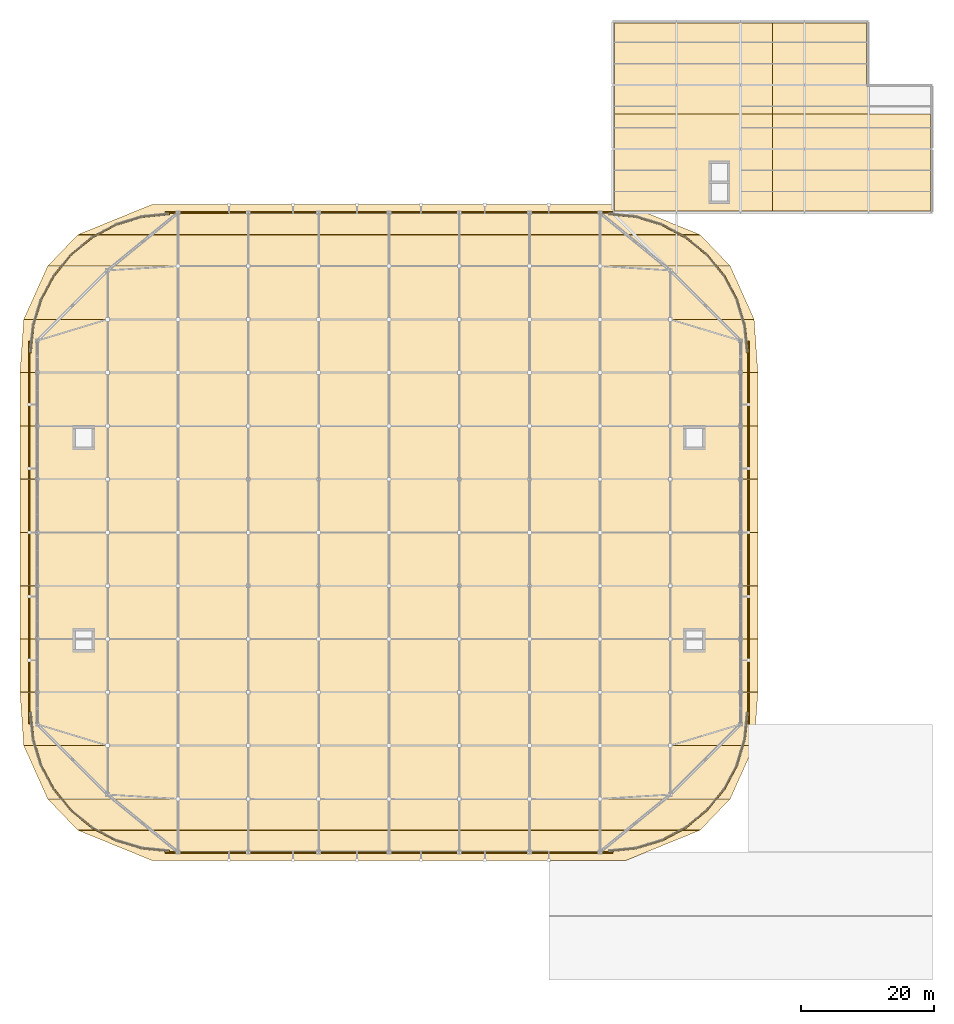
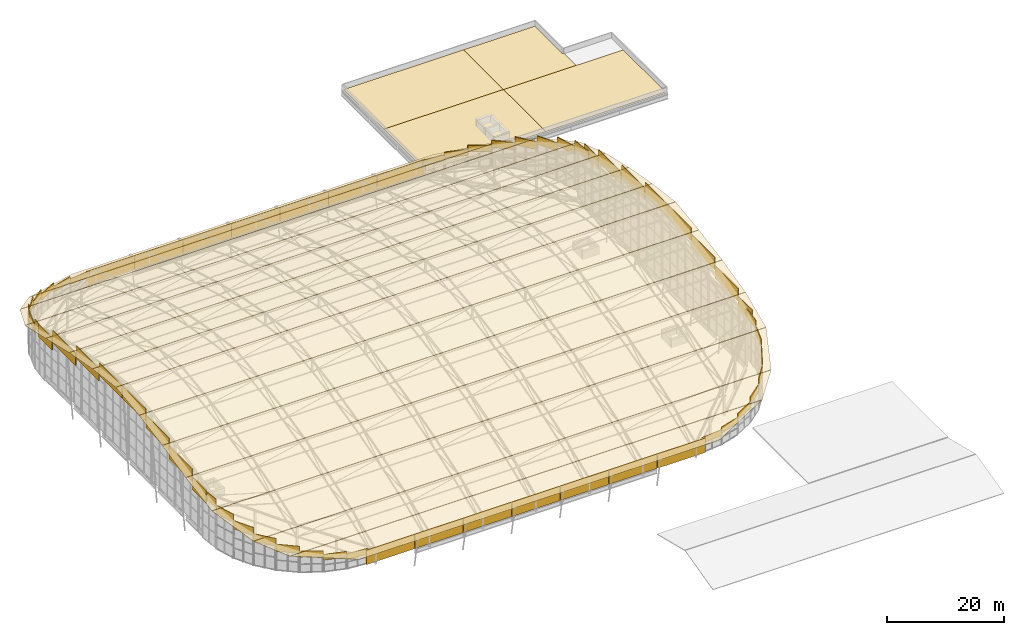
# One storey, part 42 of 42: 62 shading devices, 18 coverings.
"""IFC4 building model written with IfcOpenShell, lengths in metres."""

from ifc_helpers import new_model, si_unit, direction, frame, origin, origin_2d, place, context, subcontext, project, spatial, polyline, rectangle, outline, extrude, material, layer, layer_set, type_object, element, save


model = new_model("IFC4")

# Units and contexts
model_context = context("Model", 3, precision=1e-05, world=origin(), true_north=direction((0.0, 1.0)))
body_context = subcontext(model_context, "Body", "Model", "MODEL_VIEW")
ifc_project = project(units=[si_unit("LENGTHUNIT", "METRE"), si_unit("AREAUNIT", "SQUARE_METRE"), si_unit("VOLUMEUNIT", "CUBIC_METRE"), si_unit("PLANEANGLEUNIT", "RADIAN"), si_unit("MASSUNIT", "GRAM", prefix="KILO")], contexts=[model_context])

# Site, building, storey
site_placement = place(None, origin())
site = spatial("IfcSite", under=ifc_project, at=site_placement, CompositionType="ELEMENT")
building_placement = place(site_placement, origin())
building = spatial("IfcBuilding", under=site, at=building_placement, Name="Caelomonte Colonnade Arena", CompositionType="ELEMENT")
storey_placement = place(building_placement, frame((0.0, 0.0, 28.199951171875)))
storey = spatial("IfcBuildingStorey", under=building, at=storey_placement, Name="RF", CompositionType="ELEMENT", Elevation=28.199951171875)

# Coverings
ifc_material_1 = material(Name="Standing-seam aluminium acoustic roofing", Category="aluminium")
ifc_layer = layer(ifc_material_1, 0.080078125)
ifc_layer_set = layer_set([ifc_layer], Name="Standing-seam aluminium acoustic roofing")
covering_type = type_object("IfcCoveringType", Name="ENV-CV-ROOF1", PredefinedType="ROOFING", material=ifc_layer_set)
covering_1_placement = place(storey_placement, origin())
element("IfcCovering", 1, at=covering_1_placement, inside=storey, type_object=covering_type, Name="Volume 4 standing-seam roof covering 1", PredefinedType="ROOFING", context=body_context, shape_type="SweptSolid", body=[
    extrude(outline(polyline([(144.300048828125, 115.5), (168.0, 115.5), (168.0, 130.0), (144.300048828125, 130.0), (144.300048828125, 115.5)])), origin(), (0.0, 0.0, 1.0), 0.080078125),
])
covering_2_placement = place(storey_placement, origin())
element("IfcCovering", 2, at=covering_2_placement, inside=storey, type_object=covering_type, Name="Volume 4 standing-seam roof covering 2", PredefinedType="ROOFING", context=body_context, shape_type="SweptSolid", body=[
    extrude(outline(polyline([(191.699951171875, 130.0), (168.0, 130.0), (168.0, 115.5), (191.699951171875, 115.5), (191.699951171875, 130.0)])), origin(), (0.0, 0.0, 1.0), 0.080078125),
])
covering_3_placement = place(storey_placement, origin())
element("IfcCovering", 3, at=covering_3_placement, inside=storey, type_object=covering_type, Name="Volume 4 standing-seam roof covering 3", PredefinedType="ROOFING", context=body_context, shape_type="SweptSolid", body=[
    extrude(outline(polyline([(144.300048828125, 130.0), (168.0, 130.0), (168.0, 143.699951171875), (144.300048828125, 143.699951171875), (144.300048828125, 130.0)])), origin(), (0.0, 0.0, 1.0), 0.080078125),
])
covering_4_placement = place(storey_placement, origin())
element("IfcCovering", 4, at=covering_4_placement, inside=storey, type_object=covering_type, Name="Volume 4 standing-seam roof covering 4", PredefinedType="ROOFING", context=body_context, shape_type="SweptSolid", body=[
    extrude(outline(polyline([(168.0, 143.699951171875), (168.0, 130.0), (182.39990234375, 130.0), (182.39990234375, 134.10009765625), (182.37060546875, 134.101318359375), (182.341552734375, 134.105712890625), (182.31298828125, 134.11279296875), (182.28515625, 134.122802734375), (182.258544921875, 134.135498046875), (182.2333984375, 134.150634765625), (182.209716796875, 134.168212890625), (182.18798828125, 134.18798828125), (182.168212890625, 134.209716796875), (182.150634765625, 134.2333984375), (182.135498046875, 134.258544921875), (182.122802734375, 134.28515625), (182.11279296875, 134.31298828125), (182.105712890625, 134.341552734375), (182.101318359375, 134.37060546875), (182.10009765625, 134.39990234375), (182.10009765625, 143.699951171875), (168.0, 143.699951171875)])), origin(), (0.0, 0.0, 1.0), 0.080078125),
])
covering_5_placement = place(storey_placement, frame((74.81201171875, 17.949951171875, 2.33740234375), z_axis=(0.0, -0.369863842655, 0.929085969056), x_axis=(1.0, 0.0, 0.0)))
element("IfcCovering", 5, at=covering_5_placement, inside=storey, type_object=covering_type, Name="Barrel roof acoustic standing-seam covering 1", PredefinedType="ROOFING", context=body_context, shape_type="SweptSolid", body=[
    extrude(outline(polyline([(0.0, 0.0), (71.176025390625, 0.0), (82.297119140625, 4.881309589261594), (-11.12109375, 4.881309589261594), (0.0, 0.0)])), origin(), (0.0, 0.0, -1.0), 0.080078125),
])
covering_6_placement = place(storey_placement, frame((63.652099609375, 22.514892578125, 4.15478515625), z_axis=(0.0, -0.369899639423, 0.929071717767), x_axis=(1.0, 0.0, 0.0)))
element("IfcCovering", 6, at=covering_6_placement, inside=storey, type_object=covering_type, Name="Barrel roof acoustic standing-seam covering 2", PredefinedType="ROOFING", context=body_context, shape_type="SweptSolid", body=[
    extrude(outline(polyline([(0.0, 0.0), (93.49560546875, 0.0), (97.97900390625, 5.026701304446455), (-4.483154296875, 5.026701304446455), (0.0, 0.0)])), origin(), (0.0, 0.0, -1.0), 0.080078125),
])
covering_7_placement = place(storey_placement, frame((59.147705078125, 27.215087890625, 6.025146484375), z_axis=(0.0, -0.325190678166, 0.945648466838), x_axis=(1.0, 0.0, 0.0)))
element("IfcCovering", 7, at=covering_7_placement, inside=storey, type_object=covering_type, Name="Barrel roof acoustic standing-seam covering 3", PredefinedType="ROOFING", context=body_context, shape_type="SweptSolid", body=[
    extrude(outline(polyline([(0.0, 0.0), (102.504638671875, 0.0), (106.083740234375, 8.428048035408487), (-3.5791015625, 8.428048035408487), (0.0, 0.0)])), origin(), (0.0, 0.0, -1.0), 0.080078125),
])
covering_8_placement = place(storey_placement, frame((55.561767578125, 35.215087890625, 8.775390625), z_axis=(0.0, -0.278197387815, 0.960523926518), x_axis=(1.0, 0.0, 0.0)))
element("IfcCovering", 8, at=covering_8_placement, inside=storey, type_object=covering_type, Name="Barrel roof acoustic standing-seam covering 4", PredefinedType="ROOFING", context=body_context, shape_type="SweptSolid", body=[
    extrude(outline(polyline([(0.0, 0.0), (109.676513671875, 0.0), (110.23828125, 8.297524385488273), (-0.561767578125, 8.297524385488273), (0.0, 0.0)])), origin(), (0.0, 0.0, -1.0), 0.080078125),
])
covering_9_placement = place(storey_placement, frame((55.0, 43.215087890625, 11.091552734375), z_axis=(0.0, -0.22911910749, 0.973398394586), x_axis=(1.0, 0.0, 0.0)))
element("IfcCovering", 9, at=covering_9_placement, inside=storey, type_object=covering_type, Name="Barrel roof acoustic standing-seam covering 5", PredefinedType="ROOFING", context=body_context, shape_type="SweptSolid", body=[
    extrude(outline(polyline([(0.0, 0.0), (110.800048828125, 0.0), (110.800048828125, 8.187778762993059), (0.0, 8.187778762993059), (0.0, 0.0)])), origin(), (0.0, 0.0, -1.0), 0.080078125),
])
covering_10_placement = place(storey_placement, frame((55.0, 51.215087890625, 12.9736328125), z_axis=(0.0, -0.17823022988, 0.983988813532), x_axis=(1.0, 0.0, 0.0)))
element("IfcCovering", 10, at=covering_10_placement, inside=storey, type_object=covering_type, Name="Barrel roof acoustic standing-seam covering 6", PredefinedType="ROOFING", context=body_context, shape_type="SweptSolid", body=[
    extrude(outline(polyline([(0.0, 0.0), (110.800048828125, 0.0), (110.800048828125, 8.099655802501466), (0.0, 8.099655802501466), (0.0, 0.0)])), origin(), (0.0, 0.0, -1.0), 0.080078125),
])
for number, where, z_axis, x_axis, name in (
    (11, (55.0, 59.215087890625, 14.421875), (0.0, -0.125870948594, 0.992046624056), (1.0, 0.0, 0.0), "Barrel roof acoustic standing-seam covering 7"),
    (12, (55.0, 67.215087890625, 15.43310546875), (0.0, 0.125870948594, 0.992046624056), (1.0, 0.0, 0.0), "Barrel roof acoustic standing-seam covering 8"),
):
    element("IfcCovering", number, at=place(storey_placement, frame(where, z_axis=z_axis, x_axis=x_axis)), inside=storey, type_object=covering_type, Name=name, PredefinedType="ROOFING", context=body_context, shape_type="SweptSolid", body=[
        extrude(outline(polyline([(0.0, 0.0), (110.800048828125, 0.0), (110.800048828125, 8.033867068205645), (0.0, 8.033867068205645), (0.0, 0.0)])), origin(), (0.0, 0.0, -1.0), 0.080078125),
    ])
covering_11_placement = place(storey_placement, frame((55.0, 75.215087890625, 14.417236328125), z_axis=(0.0, 0.17823022988, 0.983988813532), x_axis=(1.0, 0.0, 0.0)))
element("IfcCovering", 13, at=covering_11_placement, inside=storey, type_object=covering_type, Name="Barrel roof acoustic standing-seam covering 9", PredefinedType="ROOFING", context=body_context, shape_type="SweptSolid", body=[
    extrude(outline(polyline([(0.0, 0.0), (110.800048828125, 0.0), (110.800048828125, 8.099655802501466), (0.0, 8.099655802501466), (0.0, 0.0)])), origin(), (0.0, 0.0, -1.0), 0.080078125),
])
covering_12_placement = place(storey_placement, frame((55.0, 83.215087890625, 12.967529296875), z_axis=(0.0, 0.22911910749, 0.973398394586), x_axis=(1.0, 0.0, 0.0)))
element("IfcCovering", 14, at=covering_12_placement, inside=storey, type_object=covering_type, Name="Barrel roof acoustic standing-seam covering 10", PredefinedType="ROOFING", context=body_context, shape_type="SweptSolid", body=[
    extrude(outline(polyline([(0.0, 0.0), (110.800048828125, 0.0), (110.800048828125, 8.187778762993059), (0.0, 8.187778762993059), (0.0, 0.0)])), origin(), (0.0, 0.0, -1.0), 0.080078125),
])
covering_13_placement = place(storey_placement, frame((55.0, 91.215087890625, 11.083740234375), z_axis=(0.0, 0.278197387815, 0.960523926518), x_axis=(1.0, 0.0, 0.0)))
element("IfcCovering", 15, at=covering_13_placement, inside=storey, type_object=covering_type, Name="Barrel roof acoustic standing-seam covering 11", PredefinedType="ROOFING", context=body_context, shape_type="SweptSolid", body=[
    extrude(outline(polyline([(0.0, 0.0), (110.800048828125, 0.0), (110.23828125, 8.297524385488273), (0.561767578125, 8.297524385488273), (0.0, 0.0)])), origin(), (0.0, 0.0, -1.0), 0.080078125),
])
covering_14_placement = place(storey_placement, frame((55.568603515625, 99.215087890625, 8.765869140625), z_axis=(0.0, 0.325190678166, 0.945648466838), x_axis=(1.0, 0.0, 0.0)))
element("IfcCovering", 16, at=covering_14_placement, inside=storey, type_object=covering_type, Name="Barrel roof acoustic standing-seam covering 12", PredefinedType="ROOFING", context=body_context, shape_type="SweptSolid", body=[
    extrude(outline(polyline([(0.0, 0.0), (109.662841796875, 0.0), (106.083740234375, 8.428048035408487), (3.5791015625, 8.428048035408487), (0.0, 0.0)])), origin(), (0.0, 0.0, -1.0), 0.080078125),
])
covering_15_placement = place(storey_placement, frame((59.1689453125, 107.215087890625, 6.01416015625), z_axis=(0.0, 0.369916331414, 0.929065071861), x_axis=(1.0, 0.0, 0.0)))
element("IfcCovering", 17, at=covering_15_placement, inside=storey, type_object=covering_type, Name="Barrel roof acoustic standing-seam covering 13", PredefinedType="ROOFING", context=body_context, shape_type="SweptSolid", body=[
    extrude(outline(polyline([(0.0, 0.0), (102.462158203125, 0.0), (97.978759765625, 5.026474481107859), (4.483154296875, 5.026474481107859), (0.0, 0.0)])), origin(), (0.0, 0.0, -1.0), 0.080078125),
])
covering_16_placement = place(storey_placement, frame((63.69091796875, 111.9150390625, 4.142822265625), z_axis=(0.0, 0.369881030446, 0.92907912651), x_axis=(1.0, 0.0, 0.0)))
element("IfcCovering", 18, at=covering_16_placement, inside=storey, type_object=covering_type, Name="Barrel roof acoustic standing-seam covering 14", PredefinedType="ROOFING", context=body_context, shape_type="SweptSolid", body=[
    extrude(outline(polyline([(0.0, 0.0), (93.418212890625, 0.0), (82.297119140625, 4.881082762467683), (11.12109375, 4.881082762467683), (0.0, 0.0)])), origin(), (0.0, 0.0, -1.0), 0.080078125),
])

# Shading devices
ifc_material_2 = material(Name="Bronze anodised aluminium AA6063-T6", Category="aluminium")
shading_device_type_1 = type_object("IfcShadingDeviceType", Name="ENV-SD-FASCIA", PredefinedType="JALOUSIE", material=ifc_material_2)
for number, where, z_axis, x_axis, name in (
    (19, (81.60009765625, 19.14990234375, -0.14990234375), (0.0, 0.0, 1.0), (1.0, 0.0, 0.0), "Barrel roof S eaves fascia louvre 1"),
    (20, (81.60009765625, 115.25, -0.14990234375), (0.0, 0.0, 1.0), (1.0, 0.0, 0.0), "Barrel roof N eaves fascia louvre 1"),
    (21, (91.199951171875, 19.14990234375, -0.14990234375), (0.0, 0.0, 1.0), (1.0, 0.0, 0.0), "Barrel roof S eaves fascia louvre 2"),
    (22, (91.199951171875, 115.25, -0.14990234375), (0.0, 0.0, 1.0), (1.0, 0.0, 0.0), "Barrel roof N eaves fascia louvre 2"),
    (23, (100.800048828125, 19.14990234375, -0.14990234375), (0.0, 0.0, 1.0), (1.0, 0.0, 0.0), "Barrel roof S eaves fascia louvre 3"),
    (24, (100.800048828125, 115.25, -0.14990234375), (0.0, 0.0, 1.0), (1.0, 0.0, 0.0), "Barrel roof N eaves fascia louvre 3"),
    (25, (110.39990234375, 19.14990234375, -0.14990234375), (0.0, 0.0, 1.0), (1.0, 0.0, 0.0), "Barrel roof S eaves fascia louvre 4"),
    (26, (110.39990234375, 115.25, -0.14990234375), (0.0, 0.0, 1.0), (1.0, 0.0, 0.0), "Barrel roof N eaves fascia louvre 4"),
    (27, (120.0, 19.14990234375, -0.14990234375), (0.0, 0.0, 1.0), (1.0, 0.0, 0.0), "Barrel roof S eaves fascia louvre 5"),
    (28, (120.0, 115.25, -0.14990234375), (0.0, 0.0, 1.0), (1.0, 0.0, 0.0), "Barrel roof N eaves fascia louvre 5"),
    (29, (129.60009765625, 19.14990234375, -0.14990234375), (0.0, 0.0, 1.0), (1.0, 0.0, 0.0), "Barrel roof S eaves fascia louvre 6"),
    (30, (129.60009765625, 115.25, -0.14990234375), (0.0, 0.0, 1.0), (1.0, 0.0, 0.0), "Barrel roof N eaves fascia louvre 6"),
    (31, (139.199951171875, 19.14990234375, -0.14990234375), (0.0, 0.0, 1.0), (1.0, 0.0, 0.0), "Barrel roof S eaves fascia louvre 7"),
    (32, (139.199951171875, 115.25, -0.14990234375), (0.0, 0.0, 1.0), (1.0, 0.0, 0.0), "Barrel roof N eaves fascia louvre 7"),
):
    element("IfcShadingDevice", number, at=place(storey_placement, frame(where, z_axis=z_axis, x_axis=x_axis)), inside=storey, type_object=shading_device_type_1, Name=name, PredefinedType="JALOUSIE", context=body_context, shape_type="SweptSolid", body=[
        extrude(rectangle(XDim=9.550048828125, YDim=0.179931640625, at=origin_2d()), origin(), (0.0, 0.0, 1.0), 3.0),
    ])
shading_device_type_2 = type_object("IfcShadingDeviceType", Name="ENV-SD-LOUV1", PredefinedType="JALOUSIE", material=ifc_material_2)
shading_device_1_placement = place(storey_placement, frame((145.430908203125, 19.580078125, 1.765625), z_axis=(0.0, 0.0, 1.0), x_axis=(0.995183529093, 0.098029298797, 0.0)))
element("IfcShadingDevice", 33, at=shading_device_1_placement, inside=storey, type_object=shading_device_type_2, Name="Barrel roof rounded corner eaves fascia louvre 1", PredefinedType="JALOUSIE", context=body_context, shape_type="SweptSolid", body=[
    extrude(rectangle(XDim=4.08154296875, YDim=0.179931640625, at=origin_2d()), origin(), (0.0, 0.0, 1.0), 1.199951171875),
])
shading_device_2_placement = place(storey_placement, frame((149.41455078125, 20.37255859375, 2.259765625), z_axis=(0.0, 0.0, 1.0), x_axis=(0.956945908622, 0.290266305265, 0.0)))
element("IfcShadingDevice", 34, at=shading_device_2_placement, inside=storey, type_object=shading_device_type_2, Name="Barrel roof rounded corner eaves fascia louvre 2", PredefinedType="JALOUSIE", context=body_context, shape_type="SweptSolid", body=[
    extrude(rectangle(XDim=4.081298828125, YDim=0.179931640625, at=origin_2d()), origin(), (0.0, 0.0, 1.0), 1.199951171875),
])
shading_device_3_placement = place(storey_placement, frame((153.167236328125, 21.9267578125, 2.98974609375), z_axis=(0.0, 0.0, 1.0), x_axis=(0.881918796109, 0.471401354548, 0.0)))
element("IfcShadingDevice", 35, at=shading_device_3_placement, inside=storey, type_object=shading_device_type_2, Name="Barrel roof rounded corner eaves fascia louvre 3", PredefinedType="JALOUSIE", context=body_context, shape_type="SweptSolid", body=[
    extrude(rectangle(XDim=4.081298828125, YDim=0.179931640625, at=origin_2d()), origin(), (0.0, 0.0, 1.0), 1.252685546875),
])
shading_device_4_placement = place(storey_placement, frame((156.54443359375, 24.183349609375, 3.7724609375), z_axis=(0.0, 0.0, 1.0), x_axis=(0.773015989459, 0.634386538351, 0.0)))
element("IfcShadingDevice", 36, at=shading_device_4_placement, inside=storey, type_object=shading_device_type_2, Name="Barrel roof rounded corner eaves fascia louvre 4", PredefinedType="JALOUSIE", context=body_context, shape_type="SweptSolid", body=[
    extrude(rectangle(XDim=4.081298828125, YDim=0.179931640625, at=origin_2d()), origin(), (0.0, 0.0, 1.0), 1.483642578125),
])
shading_device_5_placement = place(storey_placement, frame((159.41650390625, 27.055419921875, 4.7861328125), z_axis=(0.0, 0.0, 1.0), x_axis=(0.634386538351, 0.773015989459, 0.0)))
element("IfcShadingDevice", 37, at=shading_device_5_placement, inside=storey, type_object=shading_device_type_2, Name="Barrel roof rounded corner eaves fascia louvre 5", PredefinedType="JALOUSIE", context=body_context, shape_type="SweptSolid", body=[
    extrude(rectangle(XDim=4.081298828125, YDim=0.179931640625, at=origin_2d()), origin(), (0.0, 0.0, 1.0), 1.6435546875),
])
shading_device_6_placement = place(storey_placement, frame((161.673095703125, 30.4326171875, 5.959716796875), z_axis=(0.0, 0.0, 1.0), x_axis=(0.471401354548, 0.881918796109, 0.0)))
element("IfcShadingDevice", 38, at=shading_device_6_placement, inside=storey, type_object=shading_device_type_2, Name="Barrel roof rounded corner eaves fascia louvre 6", PredefinedType="JALOUSIE", context=body_context, shape_type="SweptSolid", body=[
    extrude(rectangle(XDim=4.081298828125, YDim=0.179931640625, at=origin_2d()), origin(), (0.0, 0.0, 1.0), 1.7265625),
])
shading_device_7_placement = place(storey_placement, frame((163.2275390625, 34.185302734375, 7.21630859375), z_axis=(0.0, 0.0, 1.0), x_axis=(0.290266305265, 0.956945908622, 0.0)))
element("IfcShadingDevice", 39, at=shading_device_7_placement, inside=storey, type_object=shading_device_type_2, Name="Barrel roof rounded corner eaves fascia louvre 7", PredefinedType="JALOUSIE", context=body_context, shape_type="SweptSolid", body=[
    extrude(rectangle(XDim=4.081298828125, YDim=0.179931640625, at=origin_2d()), origin(), (0.0, 0.0, 1.0), 1.73388671875),
])
for number, where, z_axis, x_axis, name in (
    (40, (164.02001953125, 38.169189453125, 8.480224609375), (0.0, 0.0, 1.0), (0.098029298797, 0.995183529093, 0.0), "Barrel roof rounded corner eaves fascia louvre 8"),
    (41, (164.02001953125, 96.23095703125, 8.480224609375), (0.0, 0.0, 1.0), (-0.098029298797, 0.995183529093, 0.0), "Barrel roof rounded corner eaves fascia louvre 9"),
):
    element("IfcShadingDevice", number, at=place(storey_placement, frame(where, z_axis=z_axis, x_axis=x_axis)), inside=storey, type_object=shading_device_type_2, Name=name, PredefinedType="JALOUSIE", context=body_context, shape_type="SweptSolid", body=[
        extrude(rectangle(XDim=4.08154296875, YDim=0.179931640625, at=origin_2d()), origin(), (0.0, 0.0, 1.0), 1.6748046875),
    ])
shading_device_8_placement = place(storey_placement, frame((163.2275390625, 100.214599609375, 7.21630859375), z_axis=(0.0, 0.0, 1.0), x_axis=(-0.290266305265, 0.956945908622, 0.0)))
element("IfcShadingDevice", 42, at=shading_device_8_placement, inside=storey, type_object=shading_device_type_2, Name="Barrel roof rounded corner eaves fascia louvre 10", PredefinedType="JALOUSIE", context=body_context, shape_type="SweptSolid", body=[
    extrude(rectangle(XDim=4.081298828125, YDim=0.179931640625, at=origin_2d()), origin(), (0.0, 0.0, 1.0), 1.73388671875),
])
shading_device_9_placement = place(storey_placement, frame((161.673095703125, 103.96728515625, 5.959716796875), z_axis=(0.0, 0.0, 1.0), x_axis=(-0.471401354548, 0.881918796109, 0.0)))
element("IfcShadingDevice", 43, at=shading_device_9_placement, inside=storey, type_object=shading_device_type_2, Name="Barrel roof rounded corner eaves fascia louvre 11", PredefinedType="JALOUSIE", context=body_context, shape_type="SweptSolid", body=[
    extrude(rectangle(XDim=4.081298828125, YDim=0.179931640625, at=origin_2d()), origin(), (0.0, 0.0, 1.0), 1.7265625),
])
shading_device_10_placement = place(storey_placement, frame((159.41650390625, 107.344482421875, 4.7861328125), z_axis=(0.0, 0.0, 1.0), x_axis=(-0.634386538351, 0.773015989459, 0.0)))
element("IfcShadingDevice", 44, at=shading_device_10_placement, inside=storey, type_object=shading_device_type_2, Name="Barrel roof rounded corner eaves fascia louvre 12", PredefinedType="JALOUSIE", context=body_context, shape_type="SweptSolid", body=[
    extrude(rectangle(XDim=4.081298828125, YDim=0.179931640625, at=origin_2d()), origin(), (0.0, 0.0, 1.0), 1.6435546875),
])
shading_device_11_placement = place(storey_placement, frame((156.54443359375, 110.216552734375, 3.7724609375), z_axis=(0.0, 0.0, 1.0), x_axis=(-0.773015989459, 0.634386538351, 0.0)))
element("IfcShadingDevice", 45, at=shading_device_11_placement, inside=storey, type_object=shading_device_type_2, Name="Barrel roof rounded corner eaves fascia louvre 13", PredefinedType="JALOUSIE", context=body_context, shape_type="SweptSolid", body=[
    extrude(rectangle(XDim=4.081298828125, YDim=0.179931640625, at=origin_2d()), origin(), (0.0, 0.0, 1.0), 1.483642578125),
])
shading_device_12_placement = place(storey_placement, frame((153.167236328125, 112.47314453125, 2.98974609375), z_axis=(0.0, 0.0, 1.0), x_axis=(-0.881918796109, 0.471401354548, 0.0)))
element("IfcShadingDevice", 46, at=shading_device_12_placement, inside=storey, type_object=shading_device_type_2, Name="Barrel roof rounded corner eaves fascia louvre 14", PredefinedType="JALOUSIE", context=body_context, shape_type="SweptSolid", body=[
    extrude(rectangle(XDim=4.081298828125, YDim=0.179931640625, at=origin_2d()), origin(), (0.0, 0.0, 1.0), 1.252685546875),
])
shading_device_13_placement = place(storey_placement, frame((149.41455078125, 114.027587890625, 2.259765625), z_axis=(0.0, 0.0, 1.0), x_axis=(-0.956945908622, 0.290266305265, 0.0)))
element("IfcShadingDevice", 47, at=shading_device_13_placement, inside=storey, type_object=shading_device_type_2, Name="Barrel roof rounded corner eaves fascia louvre 15", PredefinedType="JALOUSIE", context=body_context, shape_type="SweptSolid", body=[
    extrude(rectangle(XDim=4.081298828125, YDim=0.179931640625, at=origin_2d()), origin(), (0.0, 0.0, 1.0), 1.199951171875),
])
for number, where, z_axis, x_axis, name in (
    (48, (145.430908203125, 114.820068359375, 1.765625), (0.0, 0.0, 1.0), (-0.995183529093, 0.098029298797, 0.0), "Barrel roof rounded corner eaves fascia louvre 16"),
    (49, (75.369140625, 114.820068359375, 1.765625), (0.0, 0.0, 1.0), (-0.995183529093, -0.098029298797, 0.0), "Barrel roof rounded corner eaves fascia louvre 17"),
):
    element("IfcShadingDevice", number, at=place(storey_placement, frame(where, z_axis=z_axis, x_axis=x_axis)), inside=storey, type_object=shading_device_type_2, Name=name, PredefinedType="JALOUSIE", context=body_context, shape_type="SweptSolid", body=[
        extrude(rectangle(XDim=4.08154296875, YDim=0.179931640625, at=origin_2d()), origin(), (0.0, 0.0, 1.0), 1.199951171875),
    ])
shading_device_14_placement = place(storey_placement, frame((71.385498046875, 114.027587890625, 2.259765625), z_axis=(0.0, 0.0, 1.0), x_axis=(-0.956945908622, -0.290266305265, 0.0)))
element("IfcShadingDevice", 50, at=shading_device_14_placement, inside=storey, type_object=shading_device_type_2, Name="Barrel roof rounded corner eaves fascia louvre 18", PredefinedType="JALOUSIE", context=body_context, shape_type="SweptSolid", body=[
    extrude(rectangle(XDim=4.081298828125, YDim=0.179931640625, at=origin_2d()), origin(), (0.0, 0.0, 1.0), 1.199951171875),
])
shading_device_15_placement = place(storey_placement, frame((67.6328125, 112.47314453125, 2.98974609375), z_axis=(0.0, 0.0, 1.0), x_axis=(-0.881918796109, -0.471401354548, 0.0)))
element("IfcShadingDevice", 51, at=shading_device_15_placement, inside=storey, type_object=shading_device_type_2, Name="Barrel roof rounded corner eaves fascia louvre 19", PredefinedType="JALOUSIE", context=body_context, shape_type="SweptSolid", body=[
    extrude(rectangle(XDim=4.081298828125, YDim=0.179931640625, at=origin_2d()), origin(), (0.0, 0.0, 1.0), 1.252685546875),
])
shading_device_16_placement = place(storey_placement, frame((64.255615234375, 110.216552734375, 3.7724609375), z_axis=(0.0, 0.0, 1.0), x_axis=(-0.773015989459, -0.634386538351, 0.0)))
element("IfcShadingDevice", 52, at=shading_device_16_placement, inside=storey, type_object=shading_device_type_2, Name="Barrel roof rounded corner eaves fascia louvre 20", PredefinedType="JALOUSIE", context=body_context, shape_type="SweptSolid", body=[
    extrude(rectangle(XDim=4.081298828125, YDim=0.179931640625, at=origin_2d()), origin(), (0.0, 0.0, 1.0), 1.483642578125),
])
shading_device_17_placement = place(storey_placement, frame((61.38330078125, 107.344482421875, 4.7861328125), z_axis=(0.0, 0.0, 1.0), x_axis=(-0.634386538351, -0.773015989459, 0.0)))
element("IfcShadingDevice", 53, at=shading_device_17_placement, inside=storey, type_object=shading_device_type_2, Name="Barrel roof rounded corner eaves fascia louvre 21", PredefinedType="JALOUSIE", context=body_context, shape_type="SweptSolid", body=[
    extrude(rectangle(XDim=4.081298828125, YDim=0.179931640625, at=origin_2d()), origin(), (0.0, 0.0, 1.0), 1.6435546875),
])
shading_device_18_placement = place(storey_placement, frame((59.126708984375, 103.96728515625, 5.959716796875), z_axis=(0.0, 0.0, 1.0), x_axis=(-0.471401354548, -0.881918796109, 0.0)))
element("IfcShadingDevice", 54, at=shading_device_18_placement, inside=storey, type_object=shading_device_type_2, Name="Barrel roof rounded corner eaves fascia louvre 22", PredefinedType="JALOUSIE", context=body_context, shape_type="SweptSolid", body=[
    extrude(rectangle(XDim=4.081298828125, YDim=0.179931640625, at=origin_2d()), origin(), (0.0, 0.0, 1.0), 1.7265625),
])
shading_device_19_placement = place(storey_placement, frame((57.572509765625, 100.214599609375, 7.21630859375), z_axis=(0.0, 0.0, 1.0), x_axis=(-0.290266305265, -0.956945908622, 0.0)))
element("IfcShadingDevice", 55, at=shading_device_19_placement, inside=storey, type_object=shading_device_type_2, Name="Barrel roof rounded corner eaves fascia louvre 23", PredefinedType="JALOUSIE", context=body_context, shape_type="SweptSolid", body=[
    extrude(rectangle(XDim=4.081298828125, YDim=0.179931640625, at=origin_2d()), origin(), (0.0, 0.0, 1.0), 1.73388671875),
])
for number, where, z_axis, x_axis, name in (
    (56, (56.780029296875, 96.23095703125, 8.480224609375), (0.0, 0.0, 1.0), (-0.098029298797, -0.995183529093, 0.0), "Barrel roof rounded corner eaves fascia louvre 24"),
    (57, (56.780029296875, 38.169189453125, 8.480224609375), (0.0, 0.0, 1.0), (0.098029298797, -0.995183529093, 0.0), "Barrel roof rounded corner eaves fascia louvre 25"),
):
    element("IfcShadingDevice", number, at=place(storey_placement, frame(where, z_axis=z_axis, x_axis=x_axis)), inside=storey, type_object=shading_device_type_2, Name=name, PredefinedType="JALOUSIE", context=body_context, shape_type="SweptSolid", body=[
        extrude(rectangle(XDim=4.08154296875, YDim=0.179931640625, at=origin_2d()), origin(), (0.0, 0.0, 1.0), 1.6748046875),
    ])
shading_device_20_placement = place(storey_placement, frame((57.572509765625, 34.185302734375, 7.21630859375), z_axis=(0.0, 0.0, 1.0), x_axis=(0.290266305265, -0.956945908622, 0.0)))
element("IfcShadingDevice", 58, at=shading_device_20_placement, inside=storey, type_object=shading_device_type_2, Name="Barrel roof rounded corner eaves fascia louvre 26", PredefinedType="JALOUSIE", context=body_context, shape_type="SweptSolid", body=[
    extrude(rectangle(XDim=4.081298828125, YDim=0.179931640625, at=origin_2d()), origin(), (0.0, 0.0, 1.0), 1.73388671875),
])
shading_device_21_placement = place(storey_placement, frame((59.126708984375, 30.4326171875, 5.959716796875), z_axis=(0.0, 0.0, 1.0), x_axis=(0.471401354548, -0.881918796109, 0.0)))
element("IfcShadingDevice", 59, at=shading_device_21_placement, inside=storey, type_object=shading_device_type_2, Name="Barrel roof rounded corner eaves fascia louvre 27", PredefinedType="JALOUSIE", context=body_context, shape_type="SweptSolid", body=[
    extrude(rectangle(XDim=4.081298828125, YDim=0.179931640625, at=origin_2d()), origin(), (0.0, 0.0, 1.0), 1.7265625),
])
shading_device_22_placement = place(storey_placement, frame((61.38330078125, 27.055419921875, 4.7861328125), z_axis=(0.0, 0.0, 1.0), x_axis=(0.634386538351, -0.773015989459, 0.0)))
element("IfcShadingDevice", 60, at=shading_device_22_placement, inside=storey, type_object=shading_device_type_2, Name="Barrel roof rounded corner eaves fascia louvre 28", PredefinedType="JALOUSIE", context=body_context, shape_type="SweptSolid", body=[
    extrude(rectangle(XDim=4.081298828125, YDim=0.179931640625, at=origin_2d()), origin(), (0.0, 0.0, 1.0), 1.6435546875),
])
shading_device_23_placement = place(storey_placement, frame((64.255615234375, 24.183349609375, 3.7724609375), z_axis=(0.0, 0.0, 1.0), x_axis=(0.773015989459, -0.634386538351, 0.0)))
element("IfcShadingDevice", 61, at=shading_device_23_placement, inside=storey, type_object=shading_device_type_2, Name="Barrel roof rounded corner eaves fascia louvre 29", PredefinedType="JALOUSIE", context=body_context, shape_type="SweptSolid", body=[
    extrude(rectangle(XDim=4.081298828125, YDim=0.179931640625, at=origin_2d()), origin(), (0.0, 0.0, 1.0), 1.483642578125),
])
shading_device_24_placement = place(storey_placement, frame((67.6328125, 21.9267578125, 2.98974609375), z_axis=(0.0, 0.0, 1.0), x_axis=(0.881918796109, -0.471401354548, 0.0)))
element("IfcShadingDevice", 62, at=shading_device_24_placement, inside=storey, type_object=shading_device_type_2, Name="Barrel roof rounded corner eaves fascia louvre 30", PredefinedType="JALOUSIE", context=body_context, shape_type="SweptSolid", body=[
    extrude(rectangle(XDim=4.081298828125, YDim=0.179931640625, at=origin_2d()), origin(), (0.0, 0.0, 1.0), 1.252685546875),
])
shading_device_25_placement = place(storey_placement, frame((71.385498046875, 20.37255859375, 2.259765625), z_axis=(0.0, 0.0, 1.0), x_axis=(0.956945908622, -0.290266305265, 0.0)))
element("IfcShadingDevice", 63, at=shading_device_25_placement, inside=storey, type_object=shading_device_type_2, Name="Barrel roof rounded corner eaves fascia louvre 31", PredefinedType="JALOUSIE", context=body_context, shape_type="SweptSolid", body=[
    extrude(rectangle(XDim=4.081298828125, YDim=0.179931640625, at=origin_2d()), origin(), (0.0, 0.0, 1.0), 1.199951171875),
])
shading_device_26_placement = place(storey_placement, frame((75.369140625, 19.580078125, 1.765625), z_axis=(0.0, 0.0, 1.0), x_axis=(0.995183529093, -0.098029298797, 0.0)))
element("IfcShadingDevice", 64, at=shading_device_26_placement, inside=storey, type_object=shading_device_type_2, Name="Barrel roof rounded corner eaves fascia louvre 32", PredefinedType="JALOUSIE", context=body_context, shape_type="SweptSolid", body=[
    extrude(rectangle(XDim=4.08154296875, YDim=0.179931640625, at=origin_2d()), origin(), (0.0, 0.0, 1.0), 1.199951171875),
])
shading_device_27_placement = place(storey_placement, frame((56.39990234375, 40.800048828125, 8.134033203125), z_axis=(0.0, 0.0, 1.0), x_axis=(1.0, 0.0, 0.0)))
element("IfcShadingDevice", 65, at=shading_device_27_placement, inside=storey, type_object=shading_device_type_2, Name="Barrel roof W arch gable spandrel louvre 1", PredefinedType="JALOUSIE", context=body_context, shape_type="SweptSolid", body=[
    extrude(rectangle(XDim=0.179931640625, YDim=4.699951171875, at=origin_2d()), origin(), (0.0, 0.0, 1.0), 2.60009765625),
])
for number, where, z_axis, x_axis, name in (
    (66, (56.39990234375, 47.199951171875, 9.744384765625), (0.0, 0.0, 1.0), (1.0, 0.0, 0.0), "Barrel roof W arch gable spandrel louvre 2"),
    (67, (56.39990234375, 55.199951171875, 11.410400390625), (0.0, 0.0, 1.0), (1.0, 0.0, 0.0), "Barrel roof W arch gable spandrel louvre 3"),
    (68, (56.39990234375, 63.199951171875, 12.642578125), (0.0, 0.0, 1.0), (1.0, 0.0, 0.0), "Barrel roof W arch gable spandrel louvre 4"),
    (69, (56.39990234375, 71.199951171875, 12.642578125), (0.0, 0.0, 1.0), (1.0, 0.0, 0.0), "Barrel roof W arch gable spandrel louvre 5"),
    (70, (56.39990234375, 79.199951171875, 11.410400390625), (0.0, 0.0, 1.0), (1.0, 0.0, 0.0), "Barrel roof W arch gable spandrel louvre 6"),
    (71, (56.39990234375, 87.199951171875, 9.744384765625), (0.0, 0.0, 1.0), (1.0, 0.0, 0.0), "Barrel roof W arch gable spandrel louvre 7"),
):
    element("IfcShadingDevice", number, at=place(storey_placement, frame(where, z_axis=z_axis, x_axis=x_axis)), inside=storey, type_object=shading_device_type_2, Name=name, PredefinedType="JALOUSIE", context=body_context, shape_type="SweptSolid", body=[
        extrude(rectangle(XDim=0.179931640625, YDim=7.89990234375, at=origin_2d()), origin(), (0.0, 0.0, 1.0), 2.60009765625),
    ])
for number, where, z_axis, x_axis, name in (
    (72, (56.39990234375, 93.60009765625, 8.134033203125), (0.0, 0.0, 1.0), (1.0, 0.0, 0.0), "Barrel roof W arch gable spandrel louvre 8"),
    (73, (164.39990234375, 40.800048828125, 8.134033203125), (0.0, 0.0, 1.0), (1.0, 0.0, 0.0), "Barrel roof E arch gable spandrel louvre 1"),
):
    element("IfcShadingDevice", number, at=place(storey_placement, frame(where, z_axis=z_axis, x_axis=x_axis)), inside=storey, type_object=shading_device_type_2, Name=name, PredefinedType="JALOUSIE", context=body_context, shape_type="SweptSolid", body=[
        extrude(rectangle(XDim=0.179931640625, YDim=4.699951171875, at=origin_2d()), origin(), (0.0, 0.0, 1.0), 2.60009765625),
    ])
for number, where, z_axis, x_axis, name in (
    (74, (164.39990234375, 47.199951171875, 9.744384765625), (0.0, 0.0, 1.0), (1.0, 0.0, 0.0), "Barrel roof E arch gable spandrel louvre 2"),
    (75, (164.39990234375, 55.199951171875, 11.410400390625), (0.0, 0.0, 1.0), (1.0, 0.0, 0.0), "Barrel roof E arch gable spandrel louvre 3"),
    (76, (164.39990234375, 63.199951171875, 12.642578125), (0.0, 0.0, 1.0), (1.0, 0.0, 0.0), "Barrel roof E arch gable spandrel louvre 4"),
    (77, (164.39990234375, 71.199951171875, 12.642578125), (0.0, 0.0, 1.0), (1.0, 0.0, 0.0), "Barrel roof E arch gable spandrel louvre 5"),
    (78, (164.39990234375, 79.199951171875, 11.410400390625), (0.0, 0.0, 1.0), (1.0, 0.0, 0.0), "Barrel roof E arch gable spandrel louvre 6"),
    (79, (164.39990234375, 87.199951171875, 9.744384765625), (0.0, 0.0, 1.0), (1.0, 0.0, 0.0), "Barrel roof E arch gable spandrel louvre 7"),
):
    element("IfcShadingDevice", number, at=place(storey_placement, frame(where, z_axis=z_axis, x_axis=x_axis)), inside=storey, type_object=shading_device_type_2, Name=name, PredefinedType="JALOUSIE", context=body_context, shape_type="SweptSolid", body=[
        extrude(rectangle(XDim=0.179931640625, YDim=7.89990234375, at=origin_2d()), origin(), (0.0, 0.0, 1.0), 2.60009765625),
    ])
shading_device_28_placement = place(storey_placement, frame((164.39990234375, 93.60009765625, 8.134033203125), z_axis=(0.0, 0.0, 1.0), x_axis=(1.0, 0.0, 0.0)))
element("IfcShadingDevice", 80, at=shading_device_28_placement, inside=storey, type_object=shading_device_type_2, Name="Barrel roof E arch gable spandrel louvre 8", PredefinedType="JALOUSIE", context=body_context, shape_type="SweptSolid", body=[
    extrude(rectangle(XDim=0.179931640625, YDim=4.699951171875, at=origin_2d()), origin(), (0.0, 0.0, 1.0), 2.60009765625),
])

save(model, "model.ifc")
